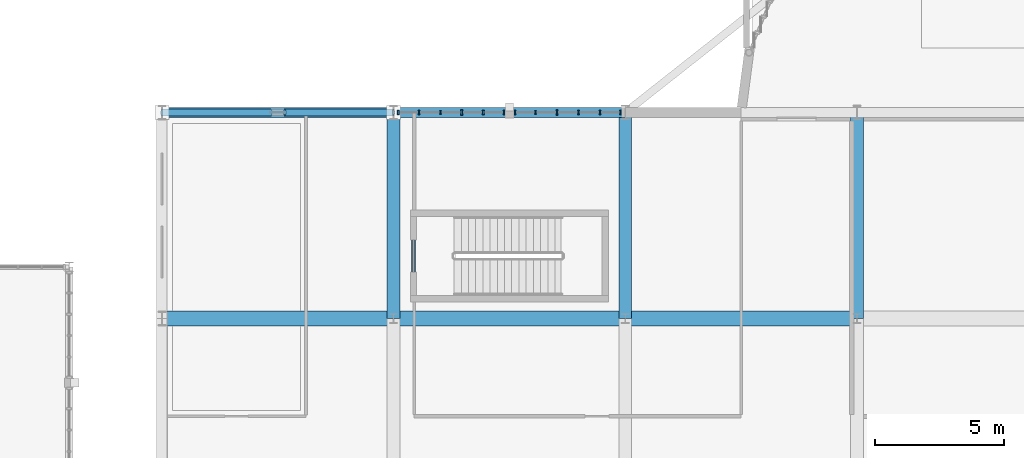
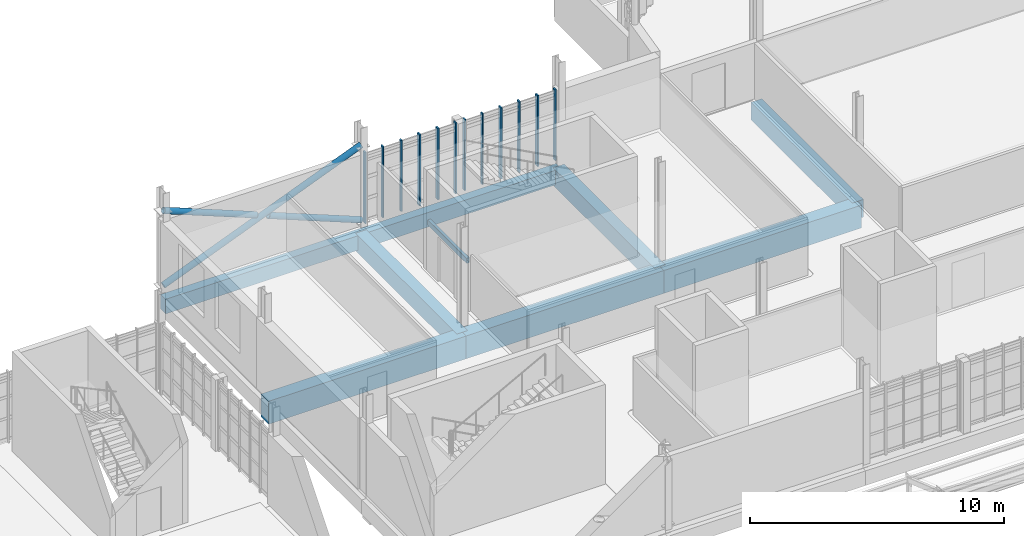
# One storey, part 20 of 128: 15 members, 9 beams, 2 elements without a shape of their own.
"""IFC4 building model written with IfcOpenShell, lengths in metres."""

import ifcopenshell
import ifcopenshell.guid

model = None  # the IFC model being written
_history = None  # IfcOwnerHistory: only IFC2X3 demands one
_inside = {}  # id of a spatial element -> (the spatial element, [elements in it])
_under = {}  # id of a project, library or spatial element -> (it, [spatial elements below it])
_declared = {}  # id of a project -> (the project, [libraries it declares])
_typed = {}  # id of a type object -> (the type object, [elements of that type])
_made_of = {}  # id of a material, layer set ... -> (it, [elements and type objects made of it])


def new_model(schema):
    """Start an empty IFC model of exactly this schema.

    Asked for "IFC4X3", IfcOpenShell would pick the latest addendum, in which some entities
    have other attributes; the version numbers below select the first issue.
    IFC2X3 requires an IfcOwnerHistory on every rooted entity: one is made here for all.
    """
    global model, _history
    if schema == "IFC4X3":
        model = ifcopenshell.file(schema_version=(4, 3, 0, 0))
    else:
        model = ifcopenshell.file(schema=schema)
    _inside.clear()
    _under.clear()
    _declared.clear()
    _typed.clear()
    _made_of.clear()
    _history = None
    if model.schema == "IFC2X3":
        org = make("IfcOrganization", Name="unknown")
        user = make(
            "IfcPersonAndOrganization",
            ThePerson=make("IfcPerson", FamilyName="unknown"),
            TheOrganization=org,
        )
        app = make(
            "IfcApplication",
            ApplicationDeveloper=org,
            Version="unknown",
            ApplicationFullName="unknown",
            ApplicationIdentifier="unknown",
        )
        _history = make(
            "IfcOwnerHistory",
            OwningUser=user,
            OwningApplication=app,
            ChangeAction="ADDED",
            CreationDate=0,
        )
    return model


def make(cls, **values):
    """One entity of the class cls with the attributes given. An attribute that is None is left unset."""
    return model.create_entity(
        cls, **{name: value for name, value in values.items() if value is not None}
    )


def rooted(cls, **values):
    """An entity with a GlobalId (a new one), such as an element, a storey or a relation."""
    return make(cls, GlobalId=ifcopenshell.guid.new(), OwnerHistory=_history, **values)


def si_unit(unit_type, name, prefix=None):
    """IfcSIUnit, for example si_unit("LENGTHUNIT", "METRE", prefix="MILLI")."""
    return make("IfcSIUnit", UnitType=unit_type, Prefix=prefix, Name=name)


def assignment(units):
    """IfcUnitAssignment: the units of a project."""
    return None if units is None else make("IfcUnitAssignment", Units=units)


def point(xyz):
    """IfcCartesianPoint."""
    return None if xyz is None else make("IfcCartesianPoint", Coordinates=xyz)


def direction(xyz):
    """IfcDirection."""
    return None if xyz is None else make("IfcDirection", DirectionRatios=xyz)


def frame(location, z_axis=None, x_axis=None):
    """IfcAxis2Placement3D, a coordinate frame: its origin and axes. An axis left out is left unset."""
    return make(
        "IfcAxis2Placement3D",
        Location=point(location),
        Axis=direction(z_axis),
        RefDirection=direction(x_axis),
    )


def frame_2d(location, x_axis=None):
    """IfcAxis2Placement2D, a coordinate frame in the plane: its origin and x axis."""
    return make(
        "IfcAxis2Placement2D", Location=point(location), RefDirection=direction(x_axis)
    )


def origin():
    """The frame at (0, 0, 0) with its axes left unset."""
    return frame((0.0, 0.0, 0.0))


def origin_2d():
    """The frame at (0, 0) in the plane with its x axis left unset."""
    return frame_2d((0.0, 0.0))


def place(relative_to, where):
    """IfcLocalPlacement: puts the frame where relative to a parent placement (None: the world)."""
    return make(
        "IfcLocalPlacement", PlacementRelTo=relative_to, RelativePlacement=where
    )


def context(
    kind, dimensions, precision=None, world=None, true_north=None, identifier=None
):
    """IfcGeometricRepresentationContext, for example the 3D "Model" context."""
    return make(
        "IfcGeometricRepresentationContext",
        ContextIdentifier=identifier,
        ContextType=kind,
        CoordinateSpaceDimension=dimensions,
        Precision=precision,
        WorldCoordinateSystem=world,
        TrueNorth=true_north,
    )


def subcontext(parent, identifier, kind, view, scale=None):
    """IfcGeometricRepresentationSubContext, for example "Body" below "Model"."""
    return make(
        "IfcGeometricRepresentationSubContext",
        ContextIdentifier=identifier,
        ContextType=kind,
        ParentContext=parent,
        TargetScale=scale,
        TargetView=view,
    )


def project(units=None, contexts=None):
    """IfcProject with its units and contexts."""
    return rooted(
        "IfcProject",
        Name="project",
        RepresentationContexts=contexts,
        UnitsInContext=assignment(units),
    )


def spatial(cls, under=None, at=None, **own):
    """A site, building, storey or space (cls), placed at a placement, below another one or the project."""
    s = rooted(cls, ObjectPlacement=at, **own)
    if under is not None:
        _under.setdefault(under.id(), (under, []))[1].append(s)
    return s


def profile(cls, at=None, kind="AREA", **sizes):
    """A parametric profile (cls). Its sizes go by their IFC names, for example OverallWidth=200.0."""
    return make(cls, ProfileType=kind, Position=at, **sizes)


def rectangle(**sizes):
    """IfcRectangleProfileDef."""
    return profile("IfcRectangleProfileDef", **sizes)


def hollow_rectangle(**sizes):
    """IfcRectangleHollowProfileDef."""
    return profile("IfcRectangleHollowProfileDef", **sizes)


def hollow_circle(**sizes):
    """IfcCircleHollowProfileDef."""
    return profile("IfcCircleHollowProfileDef", **sizes)


def extrude(swept, where, along, depth):
    """IfcExtrudedAreaSolid: the profile swept, set in the frame where, extruded along a direction by depth."""
    return make(
        "IfcExtrudedAreaSolid",
        SweptArea=swept,
        Position=where,
        ExtrudedDirection=direction(along),
        Depth=depth,
    )


def shape(context_of_items, identifier, shape_type, items):
    """IfcShapeRepresentation: the items that make up one representation, for example the "Body"."""
    return make(
        "IfcShapeRepresentation",
        ContextOfItems=context_of_items,
        RepresentationIdentifier=identifier,
        RepresentationType=shape_type,
        Items=items,
    )


def material(Name=None, Category=None):
    """IfcMaterial."""
    return make("IfcMaterial", Name=Name, Category=Category)


def material_profile(
    of_material, cross_section, Name=None, Category=None, Priority=None
):
    """IfcMaterialProfile: a cross section and its material."""
    return make(
        "IfcMaterialProfile",
        Name=Name,
        Material=of_material,
        Profile=cross_section,
        Priority=Priority,
        Category=Category,
    )


def profile_set(profiles, Name=None, composite=None):
    """IfcMaterialProfileSet."""
    return make(
        "IfcMaterialProfileSet",
        Name=Name,
        MaterialProfiles=profiles,
        CompositeProfile=composite,
    )


def made_of(thing, what):
    """Note that an element or type object is made of a material, layer set ...; save() writes the relation."""
    if what is not None:
        _made_of.setdefault(what.id(), (what, []))[1].append(thing)
    return thing


def type_object(cls, material=None, **own):
    """A type object (cls), such as IfcWallType, which elements share."""
    return made_of(rooted(cls, **own), material)


def element(
    cls,
    number,
    at=None,
    inside=None,
    cuts=None,
    type_object=None,
    material=None,
    context=None,
    identifier="Body",
    shape_type=None,
    held_by="IfcProductDefinitionShape",
    body=None,
    shapes=None,
    **own,
):
    """One element of the class cls, such as IfcWall. Its Tag is "e" and its number.

    at: its placement. inside: the storey or other place that contains it. cuts: it is an
    opening in that element (IfcRelVoidsElement). A single representation is given by context,
    identifier, shape_type and body (its items); several are given by shapes. held_by: the class
    of the entity that holds the representations. save() writes the other relations.
    """
    e = rooted(cls, Tag="e%d" % number, ObjectPlacement=at, **own)
    if body is not None:
        shapes = [shape(context, identifier, shape_type, body)]
    if shapes is not None:
        e.Representation = make(held_by, Representations=shapes)
    if inside is not None:
        _inside.setdefault(inside.id(), (inside, []))[1].append(e)
    if cuts is not None:
        rooted(
            "IfcRelVoidsElement", RelatingBuildingElement=cuts, RelatedOpeningElement=e
        )
    if type_object is not None:
        _typed.setdefault(type_object.id(), (type_object, []))[1].append(e)
    return made_of(e, material)


def aggregate(whole, parts):
    """IfcRelAggregates: a whole, such as a stair, and the parts it consists of."""
    return rooted("IfcRelAggregates", RelatingObject=whole, RelatedObjects=parts)


def save(model, path):
    """Write the relations noted so far, then the file.

    IfcRelAggregates (storeys below a building ...), IfcRelContainedInSpatialStructure (elements
    in a storey), IfcRelDefinesByType, IfcRelAssociatesMaterial and IfcRelDeclares: one each for
    every whole, place, type object, material and project.
    """
    for whole, parts in _under.values():
        aggregate(whole, parts)
    for where, things in _inside.values():
        rooted(
            "IfcRelContainedInSpatialStructure",
            RelatedElements=things,
            RelatingStructure=where,
        )
    for kind, things in _typed.values():
        rooted("IfcRelDefinesByType", RelatedObjects=things, RelatingType=kind)
    for what, things in _made_of.values():
        rooted("IfcRelAssociatesMaterial", RelatedObjects=things, RelatingMaterial=what)
    for by, libraries in _declared.values():
        rooted("IfcRelDeclares", RelatingContext=by, RelatedDefinitions=libraries)
    model.write(path)


model = new_model("IFC4")

# Units and contexts
model_context = context("Model", 3, precision=1e-05, world=origin(), true_north=direction((0.0, 1.0)))
body_context = subcontext(model_context, "Body", "Model", "MODEL_VIEW")
ifc_project = project(units=[si_unit("LENGTHUNIT", "METRE"), si_unit("AREAUNIT", "SQUARE_METRE"), si_unit("VOLUMEUNIT", "CUBIC_METRE"), si_unit("PLANEANGLEUNIT", "RADIAN"), si_unit("MASSUNIT", "GRAM", prefix="KILO")], contexts=[model_context])

# Site, building, storey
site_placement = place(None, origin())
site = spatial("IfcSite", under=ifc_project, at=site_placement, CompositionType="ELEMENT")
building_placement = place(site_placement, origin())
building = spatial("IfcBuilding", under=site, at=building_placement, Name="Serraforn Aerial Cableway Station", CompositionType="ELEMENT")
storey_placement = place(building_placement, frame((0.0, 0.0, 9.0)))
storey = spatial("IfcBuildingStorey", under=building, at=storey_placement, Name="L02", CompositionType="ELEMENT", Elevation=9.0)

# Beams
ifc_material_1 = material(Name="Concrete C35/45", Category="concrete")
ifc_material_profile_1 = material_profile(ifc_material_1, rectangle(XDim=0.39990234375, YDim=0.699951171875, at=origin_2d()), Name="RC 400x700")
ifc_profile_set_1 = profile_set([ifc_material_profile_1], Name="Concrete C35/45")
beam_type_1 = type_object("IfcBeamType", Name="BM-RC-400x700E", PredefinedType="SPANDREL", material=ifc_profile_set_1)
for number, where, z_axis, x_axis, name in (
    (1, (27.60009765625, 42.0, -0.7099609375), (1.0, 0.0, 0.0), (0.0, 1.0, 0.0), "Grid Girder X CV L02 Y4-1"),
    (2, (36.60009765625, 42.0, -0.7099609375), (1.0, 0.0, 0.0), (0.0, 1.0, 0.0), "Grid Girder X CV L02 Y4-2"),
):
    element("IfcBeam", number, at=place(storey_placement, frame(where, z_axis=z_axis, x_axis=x_axis)), inside=storey, type_object=beam_type_1, Name=name, PredefinedType="SPANDREL", context=body_context, shape_type="SweptSolid", body=[
        extrude(rectangle(XDim=0.39990234375, YDim=0.699951171875, at=origin_2d()), origin(), (0.0, 0.0, 1.0), 9.0),
    ])
ifc_material_profile_2 = material_profile(ifc_material_1, rectangle(XDim=0.5, YDim=0.85009765625, at=origin_2d()), Name="RC 500x850")
ifc_profile_set_2 = profile_set([ifc_material_profile_2], Name="Concrete C35/45")
beam_type_2 = type_object("IfcBeamType", Name="BM-RC-500x850", PredefinedType="USERDEFINED", material=ifc_profile_set_2)
for number, where, z_axis, x_axis, name in (
    (3, (36.60009765625, 34.0, -0.784912109375), (0.0, 1.0, 0.0), (-1.0, 0.0, 0.0), "Grid Girder Y CV L02 X2-3"),
    (4, (45.60009765625, 34.0, -0.784912109375), (0.0, 1.0, 0.0), (-1.0, 0.0, 0.0), "Grid Girder Y CV L02 X3-3"),
    (5, (54.60009765625, 34.0, -0.784912109375), (0.0, 1.0, 0.0), (-1.0, 0.0, 0.0), "Grid Girder Y CV L02 X4-3"),
):
    element("IfcBeam", number, at=place(storey_placement, frame(where, z_axis=z_axis, x_axis=x_axis)), inside=storey, type_object=beam_type_2, Name=name, ObjectType="GIRDER", PredefinedType="USERDEFINED", context=body_context, shape_type="SweptSolid", body=[
        extrude(rectangle(XDim=0.5, YDim=0.85009765625, at=origin_2d()), origin(), (0.0, 0.0, 1.0), 8.0),
    ])
ifc_material_2 = material(Name="Concrete C40/50", Category="concrete")
ifc_material_profile_3 = material_profile(ifc_material_2, rectangle(XDim=0.60009765625, YDim=1.10009765625, at=origin_2d()), Name="RC 600x1100")
ifc_profile_set_3 = profile_set([ifc_material_profile_3], Name="Concrete C40/50")
beam_type_3 = type_object("IfcBeamType", Name="BM-RC-600x1100", PredefinedType="USERDEFINED", material=ifc_profile_set_3)
for number, where, z_axis, x_axis, name in (
    (6, (27.60009765625, 34.0, -0.909912109375), (1.0, 0.0, 0.0), (0.0, 1.0, 0.0), "Grid Girder X CV L02 Y3-1"),
    (7, (36.60009765625, 34.0, -0.909912109375), (1.0, 0.0, 0.0), (0.0, 1.0, 0.0), "Grid Girder X CV L02 Y3-2"),
    (8, (45.60009765625, 34.0, -0.909912109375), (1.0, 0.0, 0.0), (0.0, 1.0, 0.0), "Grid Girder X CV L02 Y3-3"),
):
    element("IfcBeam", number, at=place(storey_placement, frame(where, z_axis=z_axis, x_axis=x_axis)), inside=storey, type_object=beam_type_3, Name=name, ObjectType="GIRDER", PredefinedType="USERDEFINED", context=body_context, shape_type="SweptSolid", body=[
        extrude(rectangle(XDim=0.60009765625, YDim=1.10009765625, at=origin_2d()), origin(), (0.0, 0.0, 1.0), 9.0),
    ])
ifc_material_3 = material(Name="Steel S355J2", Category="steel")
ifc_material_profile_4 = material_profile(ifc_material_3, hollow_rectangle(XDim=0.14990234375, YDim=0.25, WallThickness=0.010009765625, InnerFilletRadius=0.010009765625, OuterFilletRadius=0.02001953125, at=origin_2d()), Name="RHS 250x150x10.0")
ifc_profile_set_4 = profile_set([ifc_material_profile_4], Name="Steel S355J2")
beam_type_4 = type_object("IfcBeamType", Name="BM-ST-RHS250", PredefinedType="LINTEL", material=ifc_profile_set_4)
beam_placement = place(storey_placement, frame((37.375, 34.89990234375, 2.27490234375), z_axis=(0.0, 1.0, 0.0), x_axis=(-1.0, 0.0, 0.0)))
element("IfcBeam", 9, at=beam_placement, inside=storey, type_object=beam_type_4, Name="Stair Core Door Lintel D-S20", PredefinedType="LINTEL", context=body_context, shape_type="SweptSolid", body=[
    extrude(hollow_rectangle(XDim=0.14990234375, YDim=0.25, WallThickness=0.010009765625, InnerFilletRadius=0.010009765625, OuterFilletRadius=0.02001953125, at=origin_2d()), origin(), (0.0, 0.0, 1.0), 3.06005859375),
])

# Curtain wall, member
ifc_material_4 = material(Name="Anodised bronze unitised curtain wall")
curtain_wall_type_1 = type_object("IfcCurtainWallType", Name="CW-SYS-17", PredefinedType="USERDEFINED", material=ifc_material_4)
curtain_wall_1_placement = place(storey_placement, origin())
curtain_wall_1 = element("IfcCurtainWall", 10, at=curtain_wall_1_placement, inside=storey, type_object=curtain_wall_type_1, Name="Unitised Curtain Wall CW-CV-L02-N2A", ObjectType="UNITISED CURTAIN WALL", PredefinedType="USERDEFINED")
ifc_material_5 = material(Name="Anodised bronze extruded aluminium", Category="aluminium")
ifc_material_profile_5 = material_profile(ifc_material_5, rectangle(XDim=0.054931640625, YDim=0.139892578125, at=origin_2d()), Name="CW MULLION 55x140")
ifc_profile_set_5 = profile_set([ifc_material_profile_5], Name="Anodised bronze extruded aluminium")
member_type_1 = type_object("IfcMemberType", Name="CW-MUL-1", PredefinedType="MULLION", material=ifc_profile_set_5)
member_1_placement = place(storey_placement, frame((42.114501953125, 42.0, 0.0), z_axis=(0.0, 0.0, 1.0), x_axis=(-1.0, 0.0, 0.0)))
member_1 = element("IfcMember", 11, at=member_1_placement, type_object=member_type_1, Name="Curtain Wall Mullion CW-CV-L02-N2A-M5", PredefinedType="MULLION", context=body_context, shape_type="SweptSolid", body=[
    extrude(rectangle(XDim=0.054931640625, YDim=0.139892578125, at=origin_2d()), origin(), (0.0, 0.0, 1.0), 3.419921875),
])

curtain_wall_type_2 = type_object("IfcCurtainWallType", Name="CW-SYS-18", PredefinedType="USERDEFINED", material=ifc_material_4)
curtain_wall_2_placement = place(storey_placement, origin())
curtain_wall_2 = element("IfcCurtainWall", 12, at=curtain_wall_2_placement, inside=storey, type_object=curtain_wall_type_2, Name="Unitised Curtain Wall CW-CV-L02-N2B", ObjectType="UNITISED CURTAIN WALL", PredefinedType="USERDEFINED")
member_2_placement = place(storey_placement, frame((38.416748046875, 42.0, 0.0), z_axis=(0.0, 0.0, 1.0), x_axis=(-1.0, 0.0, 0.0)))
member_2 = element("IfcMember", 13, at=member_2_placement, type_object=member_type_1, Name="Curtain Wall Mullion CW-CV-L02-N2B-M4", PredefinedType="MULLION", context=body_context, shape_type="SweptSolid", body=[
    extrude(rectangle(XDim=0.054931640625, YDim=0.139892578125, at=origin_2d()), origin(), (0.0, 0.0, 1.0), 3.419921875),
])

# Member
ifc_material_profile_6 = material_profile(ifc_material_5, rectangle(XDim=0.06005859375, YDim=0.159912109375, at=origin_2d()), Name="CW MULLION 60x160")
ifc_profile_set_6 = profile_set([ifc_material_profile_6], Name="Anodised bronze extruded aluminium")
member_type_2 = type_object("IfcMemberType", Name="CW-MUL-2", PredefinedType="MULLION", material=ifc_profile_set_6)
member_3_placement = place(storey_placement, frame((45.422119140625, 42.0, 0.0), z_axis=(0.0, 0.0, 1.0), x_axis=(-1.0, 0.0, 0.0)))
member_3 = element("IfcMember", 14, at=member_3_placement, type_object=member_type_2, Name="Curtain Wall Mullion CW-CV-L02-N2A-M1", PredefinedType="MULLION", context=body_context, shape_type="SweptSolid", body=[
    extrude(rectangle(XDim=0.06005859375, YDim=0.159912109375, at=origin_2d()), origin(), (0.0, 0.0, 1.0), 3.419921875),
])

member_4_placement = place(storey_placement, frame((41.31005859375, 42.0, 0.0), z_axis=(0.0, 0.0, 1.0), x_axis=(-1.0, 0.0, 0.0)))
member_4 = element("IfcMember", 15, at=member_4_placement, type_object=member_type_2, Name="Curtain Wall Mullion CW-CV-L02-N2A-M6", PredefinedType="MULLION", context=body_context, shape_type="SweptSolid", body=[
    extrude(rectangle(XDim=0.06005859375, YDim=0.159912109375, at=origin_2d()), origin(), (0.0, 0.0, 1.0), 3.419921875),
])

member_5_placement = place(storey_placement, frame((37.58251953125, 42.0, 0.0), z_axis=(0.0, 0.0, 1.0), x_axis=(-1.0, 0.0, 0.0)))
member_5 = element("IfcMember", 16, at=member_5_placement, type_object=member_type_2, Name="Curtain Wall Mullion CW-CV-L02-N2B-M5", PredefinedType="MULLION", context=body_context, shape_type="SweptSolid", body=[
    extrude(rectangle(XDim=0.06005859375, YDim=0.159912109375, at=origin_2d()), origin(), (0.0, 0.0, 1.0), 3.419921875),
])

ifc_material_profile_7 = material_profile(ifc_material_5, rectangle(XDim=0.06494140625, YDim=0.175048828125, at=origin_2d()), Name="CW MULLION 65x175")
ifc_profile_set_7 = profile_set([ifc_material_profile_7], Name="Anodised bronze extruded aluminium")
member_type_3 = type_object("IfcMemberType", Name="CW-MUL-3", PredefinedType="MULLION", material=ifc_profile_set_7)
member_6_placement = place(storey_placement, frame((44.61767578125, 42.0, 0.0), z_axis=(0.0, 0.0, 1.0), x_axis=(-1.0, 0.0, 0.0)))
member_6 = element("IfcMember", 17, at=member_6_placement, type_object=member_type_3, Name="Curtain Wall Mullion CW-CV-L02-N2A-M2", PredefinedType="MULLION", context=body_context, shape_type="SweptSolid", body=[
    extrude(rectangle(XDim=0.06494140625, YDim=0.175048828125, at=origin_2d()), origin(), (0.0, 0.0, 1.0), 3.419921875),
])

member_7_placement = place(storey_placement, frame((40.887451171875, 42.0, 0.0), z_axis=(0.0, 0.0, 1.0), x_axis=(-1.0, 0.0, 0.0)))
member_7 = element("IfcMember", 18, at=member_7_placement, type_object=member_type_3, Name="Curtain Wall Mullion CW-CV-L02-N2B-M1", PredefinedType="MULLION", context=body_context, shape_type="SweptSolid", body=[
    extrude(rectangle(XDim=0.06494140625, YDim=0.175048828125, at=origin_2d()), origin(), (0.0, 0.0, 1.0), 3.419921875),
])

member_8_placement = place(storey_placement, frame((36.780517578125, 42.0, 0.0), z_axis=(0.0, 0.0, 1.0), x_axis=(-1.0, 0.0, 0.0)))
member_8 = element("IfcMember", 19, at=member_8_placement, type_object=member_type_3, Name="Curtain Wall Mullion CW-CV-L02-N2B-M6", PredefinedType="MULLION", context=body_context, shape_type="SweptSolid", body=[
    extrude(rectangle(XDim=0.06494140625, YDim=0.175048828125, at=origin_2d()), origin(), (0.0, 0.0, 1.0), 3.419921875),
])

ifc_material_profile_8 = material_profile(ifc_material_5, rectangle(XDim=0.070068359375, YDim=0.18994140625, at=origin_2d()), Name="CW MULLION 70x190")
ifc_profile_set_8 = profile_set([ifc_material_profile_8], Name="Anodised bronze extruded aluminium")
member_type_4 = type_object("IfcMemberType", Name="CW-MUL-4", PredefinedType="MULLION", material=ifc_profile_set_8)
member_9_placement = place(storey_placement, frame((43.783203125, 42.0, 0.0), z_axis=(0.0, 0.0, 1.0), x_axis=(-1.0, 0.0, 0.0)))
member_9 = element("IfcMember", 20, at=member_9_placement, type_object=member_type_4, Name="Curtain Wall Mullion CW-CV-L02-N2A-M3", PredefinedType="MULLION", context=body_context, shape_type="SweptSolid", body=[
    extrude(rectangle(XDim=0.070068359375, YDim=0.18994140625, at=origin_2d()), origin(), (0.0, 0.0, 1.0), 3.419921875),
])

member_10_placement = place(storey_placement, frame((40.085693359375, 42.0, 0.0), z_axis=(0.0, 0.0, 1.0), x_axis=(-1.0, 0.0, 0.0)))
member_10 = element("IfcMember", 21, at=member_10_placement, type_object=member_type_4, Name="Curtain Wall Mullion CW-CV-L02-N2B-M2", PredefinedType="MULLION", context=body_context, shape_type="SweptSolid", body=[
    extrude(rectangle(XDim=0.070068359375, YDim=0.18994140625, at=origin_2d()), origin(), (0.0, 0.0, 1.0), 3.419921875),
])

ifc_material_profile_9 = material_profile(ifc_material_5, rectangle(XDim=0.074951171875, YDim=0.199951171875, at=origin_2d()), Name="CW MULLION 75x200")
ifc_profile_set_9 = profile_set([ifc_material_profile_9], Name="Anodised bronze extruded aluminium")
member_type_5 = type_object("IfcMemberType", Name="CW-MUL-5", PredefinedType="MULLION", material=ifc_profile_set_9)
member_11_placement = place(storey_placement, frame((42.94873046875, 42.0, 0.0), z_axis=(0.0, 0.0, 1.0), x_axis=(-1.0, 0.0, 0.0)))
member_11 = element("IfcMember", 22, at=member_11_placement, type_object=member_type_5, Name="Curtain Wall Mullion CW-CV-L02-N2A-M4", PredefinedType="MULLION", context=body_context, shape_type="SweptSolid", body=[
    extrude(rectangle(XDim=0.074951171875, YDim=0.199951171875, at=origin_2d()), origin(), (0.0, 0.0, 1.0), 3.419921875),
])

aggregate(curtain_wall_1, [member_3, member_6, member_9, member_11, member_1, member_4])

member_12_placement = place(storey_placement, frame((39.251220703125, 42.0, 0.0), z_axis=(0.0, 0.0, 1.0), x_axis=(-1.0, 0.0, 0.0)))
member_12 = element("IfcMember", 23, at=member_12_placement, type_object=member_type_5, Name="Curtain Wall Mullion CW-CV-L02-N2B-M3", PredefinedType="MULLION", context=body_context, shape_type="SweptSolid", body=[
    extrude(rectangle(XDim=0.074951171875, YDim=0.199951171875, at=origin_2d()), origin(), (0.0, 0.0, 1.0), 3.419921875),
])

aggregate(curtain_wall_2, [member_7, member_10, member_12, member_2, member_5, member_8])

# Members
ifc_material_profile_10 = material_profile(ifc_material_3, hollow_circle(Radius=0.136474609375, WallThickness=0.012451171875, at=origin_2d()), Name="CHS 273.0x12.5")
ifc_profile_set_10 = profile_set([ifc_material_profile_10], Name="Steel S355J2")
member_type_6 = type_object("IfcMemberType", Name="MEM-WB-CHS273", PredefinedType="BRACE", material=ifc_profile_set_10)
member_13_placement = place(storey_placement, frame((27.60009765625, 42.0, 0.199951171875), z_axis=(0.928473216852, 0.0, 0.37139936132), x_axis=(0.0, 1.0, 0.0)))
element("IfcMember", 24, at=member_13_placement, inside=storey, type_object=member_type_6, Name="High-Level Lateral Wind Brace 3", PredefinedType="BRACE", context=body_context, shape_type="SweptSolid", body=[
    extrude(hollow_circle(Radius=0.136474609375, WallThickness=0.012451171875, at=origin_2d()), origin(), (0.0, 0.0, 1.0), 9.693359375),
])
for number, where, z_axis, x_axis, name in (
    (25, (27.60009765625, 42.0, 3.800048828125), (0.9284656033, 0.0, -0.371418394117), (0.0, 1.0, 0.0), "Split X-Brace Upper Segment 3-1"),
    (26, (32.3701171875, 42.0, 1.89208984375), (0.9284656033, 0.0, -0.371418394117), (0.0, 1.0, 0.0), "Split X-Brace Lower Segment 3-2"),
):
    element("IfcMember", number, at=place(storey_placement, frame(where, z_axis=z_axis, x_axis=x_axis)), inside=storey, type_object=member_type_6, Name=name, PredefinedType="BRACE", context=body_context, shape_type="SweptSolid", body=[
        extrude(hollow_circle(Radius=0.136474609375, WallThickness=0.012451171875, at=origin_2d()), origin(), (0.0, 0.0, 1.0), 4.555908203125),
    ])

save(model, "model.ifc")
